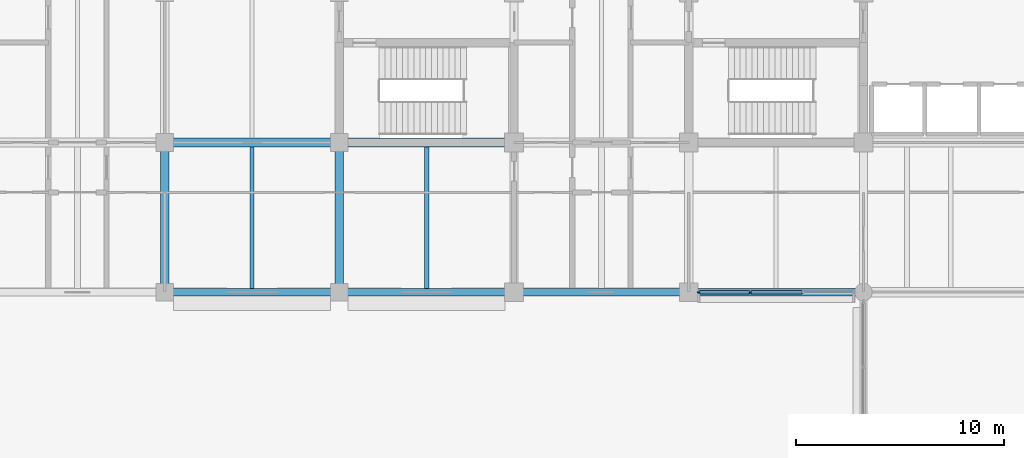
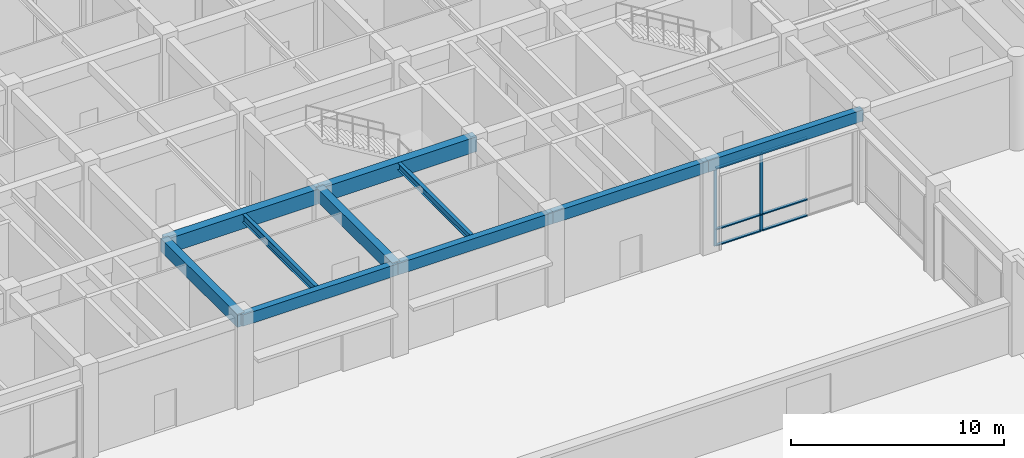
# One storey, part 14 of 73: 10 beams, 8 members, 1 element without a shape of its own.
"""IFC4 building model written with IfcOpenShell, lengths in metres."""

import ifcopenshell
import ifcopenshell.guid

model = None  # the IFC model being written
_history = None  # IfcOwnerHistory: only IFC2X3 demands one
_inside = {}  # id of a spatial element -> (the spatial element, [elements in it])
_under = {}  # id of a project, library or spatial element -> (it, [spatial elements below it])
_declared = {}  # id of a project -> (the project, [libraries it declares])
_typed = {}  # id of a type object -> (the type object, [elements of that type])
_made_of = {}  # id of a material, layer set ... -> (it, [elements and type objects made of it])


def new_model(schema):
    """Start an empty IFC model of exactly this schema.

    Asked for "IFC4X3", IfcOpenShell would pick the latest addendum, in which some entities
    have other attributes; the version numbers below select the first issue.
    IFC2X3 requires an IfcOwnerHistory on every rooted entity: one is made here for all.
    """
    global model, _history
    if schema == "IFC4X3":
        model = ifcopenshell.file(schema_version=(4, 3, 0, 0))
    else:
        model = ifcopenshell.file(schema=schema)
    _inside.clear()
    _under.clear()
    _declared.clear()
    _typed.clear()
    _made_of.clear()
    _history = None
    if model.schema == "IFC2X3":
        org = make("IfcOrganization", Name="unknown")
        user = make(
            "IfcPersonAndOrganization",
            ThePerson=make("IfcPerson", FamilyName="unknown"),
            TheOrganization=org,
        )
        app = make(
            "IfcApplication",
            ApplicationDeveloper=org,
            Version="unknown",
            ApplicationFullName="unknown",
            ApplicationIdentifier="unknown",
        )
        _history = make(
            "IfcOwnerHistory",
            OwningUser=user,
            OwningApplication=app,
            ChangeAction="ADDED",
            CreationDate=0,
        )
    return model


def make(cls, **values):
    """One entity of the class cls with the attributes given. An attribute that is None is left unset."""
    return model.create_entity(
        cls, **{name: value for name, value in values.items() if value is not None}
    )


def rooted(cls, **values):
    """An entity with a GlobalId (a new one), such as an element, a storey or a relation."""
    return make(cls, GlobalId=ifcopenshell.guid.new(), OwnerHistory=_history, **values)


def si_unit(unit_type, name, prefix=None):
    """IfcSIUnit, for example si_unit("LENGTHUNIT", "METRE", prefix="MILLI")."""
    return make("IfcSIUnit", UnitType=unit_type, Prefix=prefix, Name=name)


def assignment(units):
    """IfcUnitAssignment: the units of a project."""
    return None if units is None else make("IfcUnitAssignment", Units=units)


def point(xyz):
    """IfcCartesianPoint."""
    return None if xyz is None else make("IfcCartesianPoint", Coordinates=xyz)


def direction(xyz):
    """IfcDirection."""
    return None if xyz is None else make("IfcDirection", DirectionRatios=xyz)


def frame(location, z_axis=None, x_axis=None):
    """IfcAxis2Placement3D, a coordinate frame: its origin and axes. An axis left out is left unset."""
    return make(
        "IfcAxis2Placement3D",
        Location=point(location),
        Axis=direction(z_axis),
        RefDirection=direction(x_axis),
    )


def frame_2d(location, x_axis=None):
    """IfcAxis2Placement2D, a coordinate frame in the plane: its origin and x axis."""
    return make(
        "IfcAxis2Placement2D", Location=point(location), RefDirection=direction(x_axis)
    )


def origin():
    """The frame at (0, 0, 0) with its axes left unset."""
    return frame((0.0, 0.0, 0.0))


def origin_2d():
    """The frame at (0, 0) in the plane with its x axis left unset."""
    return frame_2d((0.0, 0.0))


def place(relative_to, where):
    """IfcLocalPlacement: puts the frame where relative to a parent placement (None: the world)."""
    return make(
        "IfcLocalPlacement", PlacementRelTo=relative_to, RelativePlacement=where
    )


def context(
    kind, dimensions, precision=None, world=None, true_north=None, identifier=None
):
    """IfcGeometricRepresentationContext, for example the 3D "Model" context."""
    return make(
        "IfcGeometricRepresentationContext",
        ContextIdentifier=identifier,
        ContextType=kind,
        CoordinateSpaceDimension=dimensions,
        Precision=precision,
        WorldCoordinateSystem=world,
        TrueNorth=true_north,
    )


def subcontext(parent, identifier, kind, view, scale=None):
    """IfcGeometricRepresentationSubContext, for example "Body" below "Model"."""
    return make(
        "IfcGeometricRepresentationSubContext",
        ContextIdentifier=identifier,
        ContextType=kind,
        ParentContext=parent,
        TargetScale=scale,
        TargetView=view,
    )


def project(units=None, contexts=None):
    """IfcProject with its units and contexts."""
    return rooted(
        "IfcProject",
        Name="project",
        RepresentationContexts=contexts,
        UnitsInContext=assignment(units),
    )


def spatial(cls, under=None, at=None, **own):
    """A site, building, storey or space (cls), placed at a placement, below another one or the project."""
    s = rooted(cls, ObjectPlacement=at, **own)
    if under is not None:
        _under.setdefault(under.id(), (under, []))[1].append(s)
    return s


def profile(cls, at=None, kind="AREA", **sizes):
    """A parametric profile (cls). Its sizes go by their IFC names, for example OverallWidth=200.0."""
    return make(cls, ProfileType=kind, Position=at, **sizes)


def rectangle(**sizes):
    """IfcRectangleProfileDef."""
    return profile("IfcRectangleProfileDef", **sizes)


def i_section(**sizes):
    """IfcIShapeProfileDef."""
    return profile("IfcIShapeProfileDef", **sizes)


def extrude(swept, where, along, depth):
    """IfcExtrudedAreaSolid: the profile swept, set in the frame where, extruded along a direction by depth."""
    return make(
        "IfcExtrudedAreaSolid",
        SweptArea=swept,
        Position=where,
        ExtrudedDirection=direction(along),
        Depth=depth,
    )


def shape(context_of_items, identifier, shape_type, items):
    """IfcShapeRepresentation: the items that make up one representation, for example the "Body"."""
    return make(
        "IfcShapeRepresentation",
        ContextOfItems=context_of_items,
        RepresentationIdentifier=identifier,
        RepresentationType=shape_type,
        Items=items,
    )


def material(Name=None, Category=None):
    """IfcMaterial."""
    return make("IfcMaterial", Name=Name, Category=Category)


def layer(
    of_material, thickness, ventilated=None, Name=None, Category=None, Priority=None
):
    """IfcMaterialLayer: one layer of a wall or slab, of a material (None: an air gap)."""
    return make(
        "IfcMaterialLayer",
        Material=of_material,
        LayerThickness=thickness,
        IsVentilated=ventilated,
        Name=Name,
        Category=Category,
        Priority=Priority,
    )


def layer_set(layers, Name=None):
    """IfcMaterialLayerSet."""
    return make("IfcMaterialLayerSet", MaterialLayers=layers, LayerSetName=Name)


def material_profile(
    of_material, cross_section, Name=None, Category=None, Priority=None
):
    """IfcMaterialProfile: a cross section and its material."""
    return make(
        "IfcMaterialProfile",
        Name=Name,
        Material=of_material,
        Profile=cross_section,
        Priority=Priority,
        Category=Category,
    )


def profile_set(profiles, Name=None, composite=None):
    """IfcMaterialProfileSet."""
    return make(
        "IfcMaterialProfileSet",
        Name=Name,
        MaterialProfiles=profiles,
        CompositeProfile=composite,
    )


def made_of(thing, what):
    """Note that an element or type object is made of a material, layer set ...; save() writes the relation."""
    if what is not None:
        _made_of.setdefault(what.id(), (what, []))[1].append(thing)
    return thing


def type_object(cls, material=None, **own):
    """A type object (cls), such as IfcWallType, which elements share."""
    return made_of(rooted(cls, **own), material)


def element(
    cls,
    number,
    at=None,
    inside=None,
    cuts=None,
    type_object=None,
    material=None,
    context=None,
    identifier="Body",
    shape_type=None,
    held_by="IfcProductDefinitionShape",
    body=None,
    shapes=None,
    **own,
):
    """One element of the class cls, such as IfcWall. Its Tag is "e" and its number.

    at: its placement. inside: the storey or other place that contains it. cuts: it is an
    opening in that element (IfcRelVoidsElement). A single representation is given by context,
    identifier, shape_type and body (its items); several are given by shapes. held_by: the class
    of the entity that holds the representations. save() writes the other relations.
    """
    e = rooted(cls, Tag="e%d" % number, ObjectPlacement=at, **own)
    if body is not None:
        shapes = [shape(context, identifier, shape_type, body)]
    if shapes is not None:
        e.Representation = make(held_by, Representations=shapes)
    if inside is not None:
        _inside.setdefault(inside.id(), (inside, []))[1].append(e)
    if cuts is not None:
        rooted(
            "IfcRelVoidsElement", RelatingBuildingElement=cuts, RelatedOpeningElement=e
        )
    if type_object is not None:
        _typed.setdefault(type_object.id(), (type_object, []))[1].append(e)
    return made_of(e, material)


def aggregate(whole, parts):
    """IfcRelAggregates: a whole, such as a stair, and the parts it consists of."""
    return rooted("IfcRelAggregates", RelatingObject=whole, RelatedObjects=parts)


def save(model, path):
    """Write the relations noted so far, then the file.

    IfcRelAggregates (storeys below a building ...), IfcRelContainedInSpatialStructure (elements
    in a storey), IfcRelDefinesByType, IfcRelAssociatesMaterial and IfcRelDeclares: one each for
    every whole, place, type object, material and project.
    """
    for whole, parts in _under.values():
        aggregate(whole, parts)
    for where, things in _inside.values():
        rooted(
            "IfcRelContainedInSpatialStructure",
            RelatedElements=things,
            RelatingStructure=where,
        )
    for kind, things in _typed.values():
        rooted("IfcRelDefinesByType", RelatedObjects=things, RelatingType=kind)
    for what, things in _made_of.values():
        rooted("IfcRelAssociatesMaterial", RelatedObjects=things, RelatingMaterial=what)
    for by, libraries in _declared.values():
        rooted("IfcRelDeclares", RelatingContext=by, RelatedDefinitions=libraries)
    model.write(path)


model = new_model("IFC4")

# Units and contexts
model_context = context("Model", 3, precision=1e-05, world=origin(), true_north=direction((0.0, 1.0)))
body_context = subcontext(model_context, "Body", "Model", "MODEL_VIEW")
ifc_project = project(units=[si_unit("LENGTHUNIT", "METRE"), si_unit("AREAUNIT", "SQUARE_METRE"), si_unit("VOLUMEUNIT", "CUBIC_METRE"), si_unit("PLANEANGLEUNIT", "RADIAN"), si_unit("MASSUNIT", "GRAM", prefix="KILO")], contexts=[model_context])

# Site, building, storey
site_placement = place(None, origin())
site = spatial("IfcSite", under=ifc_project, at=site_placement, CompositionType="ELEMENT")
building_placement = place(site_placement, origin())
building = spatial("IfcBuilding", under=site, at=building_placement, Name="Chengyuan Square Courthouse", CompositionType="ELEMENT")
storey_placement = place(building_placement, origin())
storey = spatial("IfcBuildingStorey", under=building, at=storey_placement, Name="L01", CompositionType="ELEMENT", Elevation=0.0)

# Beams
ifc_material_1 = material(Name="Concrete C40", Category="concrete")
ifc_material_profile_1 = material_profile(ifc_material_1, rectangle(XDim=0.449951171875, YDim=0.85009765625, at=origin_2d()), Name="RC-BM-450x850")
ifc_profile_set_1 = profile_set([ifc_material_profile_1], Name="Concrete C40")
beam_type_1 = type_object("IfcBeamType", Name="BM-01", PredefinedType="USERDEFINED", material=ifc_profile_set_1)
for number, where, z_axis, x_axis, name in (
    (1, (33.60009765625, 86.39990234375, 4.695068359375), (1.0, 0.0, 0.0), (0.0, 1.0, 0.0), "Girder BM-L01-1713"),
    (2, (42.0, 86.39990234375, 4.695068359375), (1.0, 0.0, 0.0), (0.0, 1.0, 0.0), "Girder BM-L01-1714"),
):
    element("IfcBeam", number, at=place(storey_placement, frame(where, z_axis=z_axis, x_axis=x_axis)), inside=storey, type_object=beam_type_1, Name=name, ObjectType="GIRDER", PredefinedType="USERDEFINED", context=body_context, shape_type="SweptSolid", body=[
        extrude(rectangle(XDim=0.449951171875, YDim=0.85009765625, at=origin_2d()), origin(), (0.0, 0.0, 1.0), 8.39990234375),
    ])
ifc_material_profile_2 = material_profile(ifc_material_1, rectangle(XDim=0.39990234375, YDim=0.75, at=origin_2d()), Name="RC-BM-400x750")
ifc_profile_set_2 = profile_set([ifc_material_profile_2], Name="Concrete C40")
beam_type_2 = type_object("IfcBeamType", Name="BM-02", PredefinedType="USERDEFINED", material=ifc_profile_set_2)
for number, where, z_axis, x_axis, name in (
    (3, (33.60009765625, 79.199951171875, 4.7451171875), (0.0, 1.0, 0.0), (-1.0, 0.0, 0.0), "Girder BM-L01-1846"),
    (4, (42.0, 79.199951171875, 4.7451171875), (0.0, 1.0, 0.0), (-1.0, 0.0, 0.0), "Girder BM-L01-1850"),
):
    element("IfcBeam", number, at=place(storey_placement, frame(where, z_axis=z_axis, x_axis=x_axis)), inside=storey, type_object=beam_type_2, Name=name, ObjectType="GIRDER", PredefinedType="USERDEFINED", context=body_context, shape_type="SweptSolid", body=[
        extrude(rectangle(XDim=0.39990234375, YDim=0.75, at=origin_2d()), origin(), (0.0, 0.0, 1.0), 7.199951171875),
    ])
ifc_material_profile_3 = material_profile(ifc_material_1, rectangle(XDim=0.35009765625, YDim=0.64990234375, at=origin_2d()), Name="RC-BM-350x650")
ifc_profile_set_3 = profile_set([ifc_material_profile_3], Name="Concrete C40")
beam_type_3 = type_object("IfcBeamType", Name="BM-03", PredefinedType="SPANDREL", material=ifc_profile_set_3)
for number, where, z_axis, x_axis, name in (
    (5, (33.60009765625, 79.199951171875, 4.794921875), (1.0, 0.0, 0.0), (0.0, 1.0, 0.0), "Girder BM-L01-1693"),
    (6, (42.0, 79.199951171875, 4.794921875), (1.0, 0.0, 0.0), (0.0, 1.0, 0.0), "Girder BM-L01-1694"),
):
    element("IfcBeam", number, at=place(storey_placement, frame(where, z_axis=z_axis, x_axis=x_axis)), inside=storey, type_object=beam_type_3, Name=name, PredefinedType="SPANDREL", context=body_context, shape_type="SweptSolid", body=[
        extrude(rectangle(XDim=0.35009765625, YDim=0.64990234375, at=origin_2d()), origin(), (0.0, 0.0, 1.0), 8.39990234375),
    ])
beam_1_placement = place(storey_placement, frame((50.39990234375, 79.199951171875, 4.794921875), z_axis=(1.0, 0.0, 0.0), x_axis=(0.0, 1.0, 0.0)))
element("IfcBeam", 7, at=beam_1_placement, inside=storey, type_object=beam_type_3, Name="Girder BM-L01-1695", PredefinedType="SPANDREL", context=body_context, shape_type="SweptSolid", body=[
    extrude(rectangle(XDim=0.35009765625, YDim=0.64990234375, at=origin_2d()), origin(), (0.0, 0.0, 1.0), 8.400146484375),
])
beam_2_placement = place(storey_placement, frame((58.800048828125, 79.199951171875, 4.794921875), z_axis=(1.0, 0.0, 0.0), x_axis=(0.0, 1.0, 0.0)))
element("IfcBeam", 8, at=beam_2_placement, inside=storey, type_object=beam_type_3, Name="Girder BM-L01-1696", PredefinedType="SPANDREL", context=body_context, shape_type="SweptSolid", body=[
    extrude(rectangle(XDim=0.35009765625, YDim=0.64990234375, at=origin_2d()), origin(), (0.0, 0.0, 1.0), 8.39990234375),
])
ifc_material_2 = material(Name="Steel Q355B", Category="steel")
ifc_material_profile_4 = material_profile(ifc_material_2, i_section(OverallWidth=0.199951171875, OverallDepth=0.449951171875, WebThickness=0.009033203125, FlangeThickness=0.013916015625, at=origin_2d()), Name="HN 450x200x9x14")
ifc_profile_set_4 = profile_set([ifc_material_profile_4], Name="Steel Q355B")
beam_type_4 = type_object("IfcBeamType", Name="BM-06", PredefinedType="BEAM", material=ifc_profile_set_4)
beam_3_placement = place(storey_placement, frame((37.800048828125, 79.375, 4.89501953125), z_axis=(0.0, 1.0, 0.0), x_axis=(-1.0, 0.0, 0.0)))
element("IfcBeam", 9, at=beam_3_placement, inside=storey, type_object=beam_type_4, Name="Secondary Floor Beam SBM-L01-1993", PredefinedType="BEAM", context=body_context, shape_type="SweptSolid", body=[
    extrude(i_section(OverallWidth=0.199951171875, OverallDepth=0.449951171875, WebThickness=0.009033203125, FlangeThickness=0.013916015625, at=origin_2d()), origin(), (0.0, 0.0, 1.0), 6.800048828125),
])
ifc_material_profile_5 = material_profile(ifc_material_2, i_section(OverallWidth=0.199951171875, OverallDepth=0.39990234375, WebThickness=0.008056640625, FlangeThickness=0.012939453125, at=origin_2d()), Name="HN 400x200x8x13")
ifc_profile_set_5 = profile_set([ifc_material_profile_5], Name="Steel Q355B")
beam_type_5 = type_object("IfcBeamType", Name="BM-07", PredefinedType="BEAM", material=ifc_profile_set_5)
beam_4_placement = place(storey_placement, frame((46.199951171875, 79.375, 4.919921875), z_axis=(0.0, 1.0, 0.0), x_axis=(-1.0, 0.0, 0.0)))
element("IfcBeam", 10, at=beam_4_placement, inside=storey, type_object=beam_type_5, Name="Secondary Floor Beam SBM-L01-1997", PredefinedType="BEAM", context=body_context, shape_type="SweptSolid", body=[
    extrude(i_section(OverallWidth=0.199951171875, OverallDepth=0.39990234375, WebThickness=0.008056640625, FlangeThickness=0.012939453125, at=origin_2d()), origin(), (0.0, 0.0, 1.0), 6.800048828125),
])

# Curtain wall, members
ifc_material_3 = material(Name="Unitised Aluminium and Triple Low-E Glass", Category="aluminium")
ifc_layer = layer(ifc_material_3, 0.159912109375)
ifc_layer_set = layer_set([ifc_layer], Name="Unitised Aluminium and Triple Low-E Glass")
curtain_wall_type = type_object("IfcCurtainWallType", Name="CW-01", PredefinedType="USERDEFINED", material=ifc_layer_set)
curtain_wall_placement = place(storey_placement, origin())
curtain_wall = element("IfcCurtainWall", 11, at=curtain_wall_placement, inside=storey, type_object=curtain_wall_type, Name="Unitised Curtain Wall CW-L01-019", ObjectType="UNITISED CURTAIN WALL", PredefinedType="USERDEFINED")
ifc_material_4 = material(Name="Aluminium 6063-T6 Frame", Category="aluminium")
ifc_material_profile_6 = material_profile(ifc_material_4, rectangle(XDim=0.06005859375, YDim=0.159912109375, at=origin_2d()), Name="CW-MUL-60x160")
ifc_profile_set_6 = profile_set([ifc_material_profile_6], Name="Aluminium 6063-T6 Frame")
member_type_1 = type_object("IfcMemberType", Name="CWM-01", PredefinedType="MULLION", material=ifc_profile_set_6)
member_1_placement = place(storey_placement, frame((59.280029296875, 79.199951171875, 0.0), z_axis=(0.0, 0.0, 1.0), x_axis=(0.0, 1.0, 0.0)))
member_1 = element("IfcMember", 12, at=member_1_placement, type_object=member_type_1, Name="CW-01 mullion 1", PredefinedType="MULLION", context=body_context, shape_type="SweptSolid", body=[
    extrude(rectangle(XDim=0.06005859375, YDim=0.159912109375, at=origin_2d()), origin(), (0.0, 0.0, 1.0), 4.469970703125),
])
member_2_placement = place(storey_placement, frame((61.75830078125, 79.199951171875, 0.0), z_axis=(0.0, 0.0, 1.0), x_axis=(0.0, 1.0, 0.0)))
member_2 = element("IfcMember", 13, at=member_2_placement, type_object=member_type_1, Name="CW-01 mullion 2", PredefinedType="MULLION", context=body_context, shape_type="SweptSolid", body=[
    extrude(rectangle(XDim=0.06005859375, YDim=0.159912109375, at=origin_2d()), origin(), (0.0, 0.0, 1.0), 4.469970703125),
])
ifc_material_profile_7 = material_profile(ifc_material_4, rectangle(XDim=0.159912109375, YDim=0.06005859375, at=origin_2d()), Name="CW-TRN-60x120")
ifc_profile_set_7 = profile_set([ifc_material_profile_7], Name="Aluminium 6063-T6 Frame")
member_type_2 = type_object("IfcMemberType", Name="CWT-01", PredefinedType="USERDEFINED", material=ifc_profile_set_7)
member_3_placement = place(storey_placement, frame((59.31005859375, 79.199951171875, 0.030029296875), z_axis=(1.0, 0.0, 0.0), x_axis=(0.0, 1.0, 0.0)))
member_3 = element("IfcMember", 14, at=member_3_placement, type_object=member_type_2, Name="CW-01 transom 1.1", ObjectType="TRANSOM", PredefinedType="USERDEFINED", context=body_context, shape_type="SweptSolid", body=[
    extrude(rectangle(XDim=0.159912109375, YDim=0.06005859375, at=origin_2d()), origin(), (0.0, 0.0, 1.0), 2.418212890625),
])
member_4_placement = place(storey_placement, frame((59.31005859375, 79.199951171875, 0.949951171875), z_axis=(1.0, 0.0, 0.0), x_axis=(0.0, 1.0, 0.0)))
member_4 = element("IfcMember", 15, at=member_4_placement, type_object=member_type_2, Name="CW-01 transom 1.2", ObjectType="TRANSOM", PredefinedType="USERDEFINED", context=body_context, shape_type="SweptSolid", body=[
    extrude(rectangle(XDim=0.159912109375, YDim=0.06005859375, at=origin_2d()), origin(), (0.0, 0.0, 1.0), 2.418212890625),
])
member_5_placement = place(storey_placement, frame((59.31005859375, 79.199951171875, 4.43994140625), z_axis=(1.0, 0.0, 0.0), x_axis=(0.0, 1.0, 0.0)))
member_5 = element("IfcMember", 16, at=member_5_placement, type_object=member_type_2, Name="CW-01 transom 1.3", ObjectType="TRANSOM", PredefinedType="USERDEFINED", context=body_context, shape_type="SweptSolid", body=[
    extrude(rectangle(XDim=0.159912109375, YDim=0.06005859375, at=origin_2d()), origin(), (0.0, 0.0, 1.0), 2.418212890625),
])
member_6_placement = place(storey_placement, frame((61.788330078125, 79.199951171875, 0.030029296875), z_axis=(1.0, 0.0, 0.0), x_axis=(0.0, 1.0, 0.0)))
member_6 = element("IfcMember", 17, at=member_6_placement, type_object=member_type_2, Name="CW-01 transom 2.1", ObjectType="TRANSOM", PredefinedType="USERDEFINED", context=body_context, shape_type="SweptSolid", body=[
    extrude(rectangle(XDim=0.159912109375, YDim=0.06005859375, at=origin_2d()), origin(), (0.0, 0.0, 1.0), 2.4482421875),
])
member_7_placement = place(storey_placement, frame((61.788330078125, 79.199951171875, 0.949951171875), z_axis=(1.0, 0.0, 0.0), x_axis=(0.0, 1.0, 0.0)))
member_7 = element("IfcMember", 18, at=member_7_placement, type_object=member_type_2, Name="CW-01 transom 2.2", ObjectType="TRANSOM", PredefinedType="USERDEFINED", context=body_context, shape_type="SweptSolid", body=[
    extrude(rectangle(XDim=0.159912109375, YDim=0.06005859375, at=origin_2d()), origin(), (0.0, 0.0, 1.0), 2.4482421875),
])
member_8_placement = place(storey_placement, frame((61.788330078125, 79.199951171875, 4.43994140625), z_axis=(1.0, 0.0, 0.0), x_axis=(0.0, 1.0, 0.0)))
member_8 = element("IfcMember", 19, at=member_8_placement, type_object=member_type_2, Name="CW-01 transom 2.3", ObjectType="TRANSOM", PredefinedType="USERDEFINED", context=body_context, shape_type="SweptSolid", body=[
    extrude(rectangle(XDim=0.159912109375, YDim=0.06005859375, at=origin_2d()), origin(), (0.0, 0.0, 1.0), 2.4482421875),
])
aggregate(curtain_wall, [member_1, member_2, member_3, member_4, member_5, member_6, member_7, member_8])

save(model, "model.ifc")
